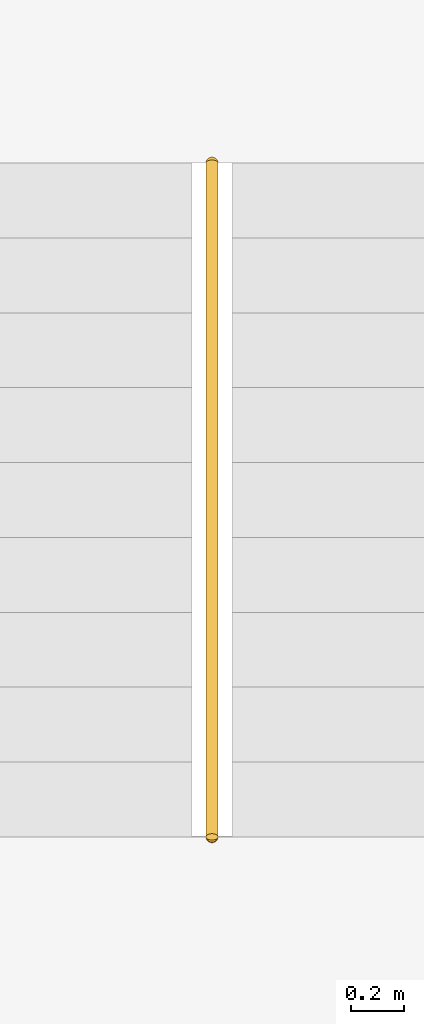
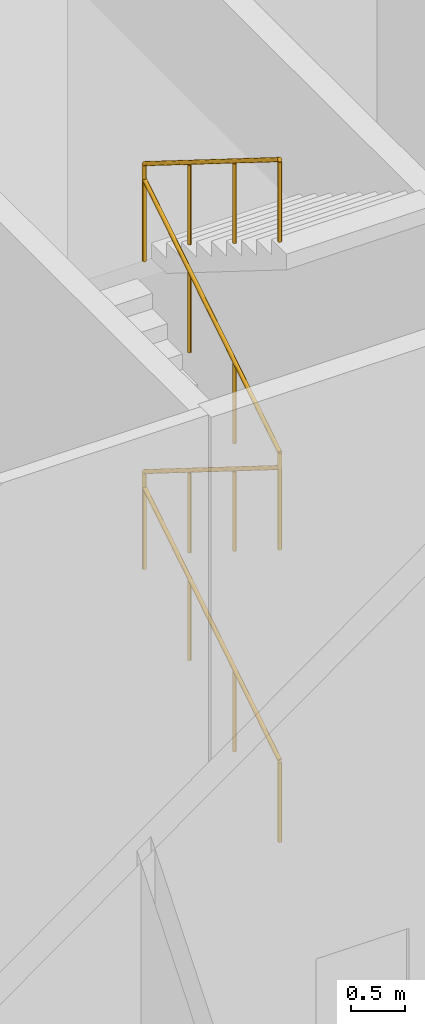
# One storey, part 19 of 19: 1 railing.
"""IFC4 building model written with IfcOpenShell, lengths in metres."""

from ifc_helpers import new_model, si_unit, direction, frame, origin, origin_2d, place, context, subcontext, project, spatial, circle, extrude, material, type_object, element, save


model = new_model("IFC4")

# Units and contexts
model_context = context("Model", 3, precision=1e-05, world=origin(), true_north=direction((0.0, 1.0)))
body_context = subcontext(model_context, "Body", "Model", "MODEL_VIEW")
ifc_project = project(units=[si_unit("LENGTHUNIT", "METRE"), si_unit("AREAUNIT", "SQUARE_METRE"), si_unit("VOLUMEUNIT", "CUBIC_METRE"), si_unit("PLANEANGLEUNIT", "RADIAN"), si_unit("MASSUNIT", "GRAM", prefix="KILO")], contexts=[model_context])

# Site, building, storey
site_placement = place(None, origin())
site = spatial("IfcSite", under=ifc_project, at=site_placement, CompositionType="ELEMENT")
building_placement = place(site_placement, origin())
building = spatial("IfcBuilding", under=site, at=building_placement, Name="Marenthal Gate Tower", CompositionType="ELEMENT")
storey_placement = place(building_placement, frame((0.0, 0.0, 12.0)))
storey = spatial("IfcBuildingStorey", under=building, at=storey_placement, Name="L01", CompositionType="ELEMENT", Elevation=12.0)

# Railing
ifc_material = material(Name="Stainless steel", Category="steel")
railing_type = type_object("IfcRailingType", Name="Stair handrail", PredefinedType="HANDRAIL", material=ifc_material)
railing_placement = place(storey_placement, frame((49.300048828125, 14.52490234375, 0.175048828125)))
element("IfcRailing", 1, at=railing_placement, inside=storey, type_object=railing_type, Name="Handrail E3", PredefinedType="HANDRAIL", context=body_context, shape_type="SweptSolid", body=[
    extrude(circle(Radius=0.0224609375, at=origin_2d()), frame((0.0, 0.0, 0.927490234375), z_axis=(0.0, 0.848007534815, 0.529984170421), x_axis=(-1.0, 0.0, 0.0)), (0.0, 0.0, 1.0), 2.9716796875),
    extrude(circle(Radius=0.0224609375, at=origin_2d()), frame((0.0, 2.52001953125, 2.50244140625), z_axis=(0.0, 0.0, 1.0), x_axis=(1.0, 0.0, 0.0)), (0.0, 0.0, 1.0), 0.175048828125),
    extrude(circle(Radius=0.0224609375, at=origin_2d()), frame((0.0, 2.52001953125, 2.677490234375), z_axis=(0.0, -0.848007534815, 0.529984170421), x_axis=(1.0, 0.0, 0.0)), (0.0, 0.0, 1.0), 2.9716796875),
    extrude(circle(Radius=0.0224609375, at=origin_2d()), frame((0.0, 0.0, 4.25244140625), z_axis=(0.0, 0.0, 1.0), x_axis=(1.0, 0.0, 0.0)), (0.0, 0.0, 1.0), 0.175048828125),
    extrude(circle(Radius=0.0224609375, at=origin_2d()), frame((0.0, 0.0, 4.427490234375), z_axis=(0.0, 0.848007534815, 0.529984170421), x_axis=(-1.0, 0.0, 0.0)), (0.0, 0.0, 1.0), 2.9716796875),
    extrude(circle(Radius=0.0224609375, at=origin_2d()), frame((0.0, 2.52001953125, 6.00244140625), z_axis=(0.0, 0.0, 1.0), x_axis=(1.0, 0.0, 0.0)), (0.0, 0.0, 1.0), 0.175048828125),
    extrude(circle(Radius=0.0224609375, at=origin_2d()), frame((0.0, 2.52001953125, 6.177490234375), z_axis=(0.0, -0.848007534815, 0.529984170421), x_axis=(1.0, 0.0, 0.0)), (0.0, 0.0, 1.0), 2.9716796875),
    extrude(circle(Radius=0.02001953125, at=origin_2d()), origin(), (0.0, 0.0, 1.0), 0.905029296875),
    extrude(circle(Radius=0.02001953125, at=origin_2d()), frame((0.0, 0.840087890625, 0.52490234375)), (0.0, 0.0, 1.0), 0.905029296875),
    extrude(circle(Radius=0.02001953125, at=origin_2d()), frame((0.0, 1.679931640625, 1.050048828125)), (0.0, 0.0, 1.0), 0.905029296875),
    extrude(circle(Radius=0.02001953125, at=origin_2d()), frame((0.0, 2.52001953125, 1.574951171875)), (0.0, 0.0, 1.0), 0.905029296875),
    extrude(circle(Radius=0.02001953125, at=origin_2d()), frame((0.0, 2.52001953125, 1.75)), (0.0, 0.0, 1.0), 0.905029296875),
    extrude(circle(Radius=0.02001953125, at=origin_2d()), frame((0.0, 1.679931640625, 2.27490234375)), (0.0, 0.0, 1.0), 0.905029296875),
    extrude(circle(Radius=0.02001953125, at=origin_2d()), frame((0.0, 0.840087890625, 2.800048828125)), (0.0, 0.0, 1.0), 0.905029296875),
    extrude(circle(Radius=0.02001953125, at=origin_2d()), frame((0.0, 0.0, 3.324951171875)), (0.0, 0.0, 1.0), 0.905029296875),
    extrude(circle(Radius=0.02001953125, at=origin_2d()), frame((0.0, 0.0, 3.5)), (0.0, 0.0, 1.0), 0.905029296875),
    extrude(circle(Radius=0.02001953125, at=origin_2d()), frame((0.0, 0.840087890625, 4.02490234375)), (0.0, 0.0, 1.0), 0.905029296875),
    extrude(circle(Radius=0.02001953125, at=origin_2d()), frame((0.0, 1.679931640625, 4.550048828125)), (0.0, 0.0, 1.0), 0.905029296875),
    extrude(circle(Radius=0.02001953125, at=origin_2d()), frame((0.0, 2.52001953125, 5.074951171875)), (0.0, 0.0, 1.0), 0.905029296875),
    extrude(circle(Radius=0.02001953125, at=origin_2d()), frame((0.0, 2.52001953125, 5.25)), (0.0, 0.0, 1.0), 0.905029296875),
    extrude(circle(Radius=0.02001953125, at=origin_2d()), frame((0.0, 1.679931640625, 5.77490234375)), (0.0, 0.0, 1.0), 0.905029296875),
    extrude(circle(Radius=0.02001953125, at=origin_2d()), frame((0.0, 0.840087890625, 6.300048828125)), (0.0, 0.0, 1.0), 0.905029296875),
    extrude(circle(Radius=0.02001953125, at=origin_2d()), frame((0.0, 0.0, 6.824951171875)), (0.0, 0.0, 1.0), 0.905029296875),
])

save(model, "model.ifc")
